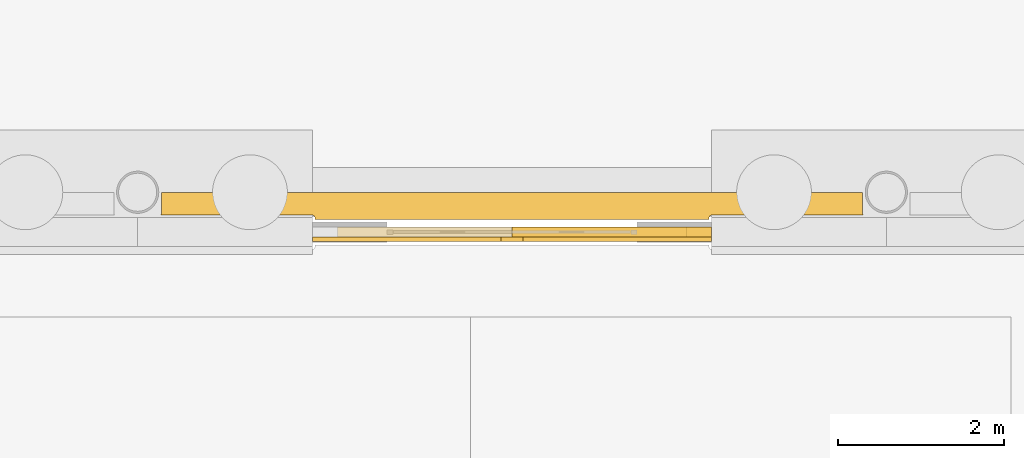
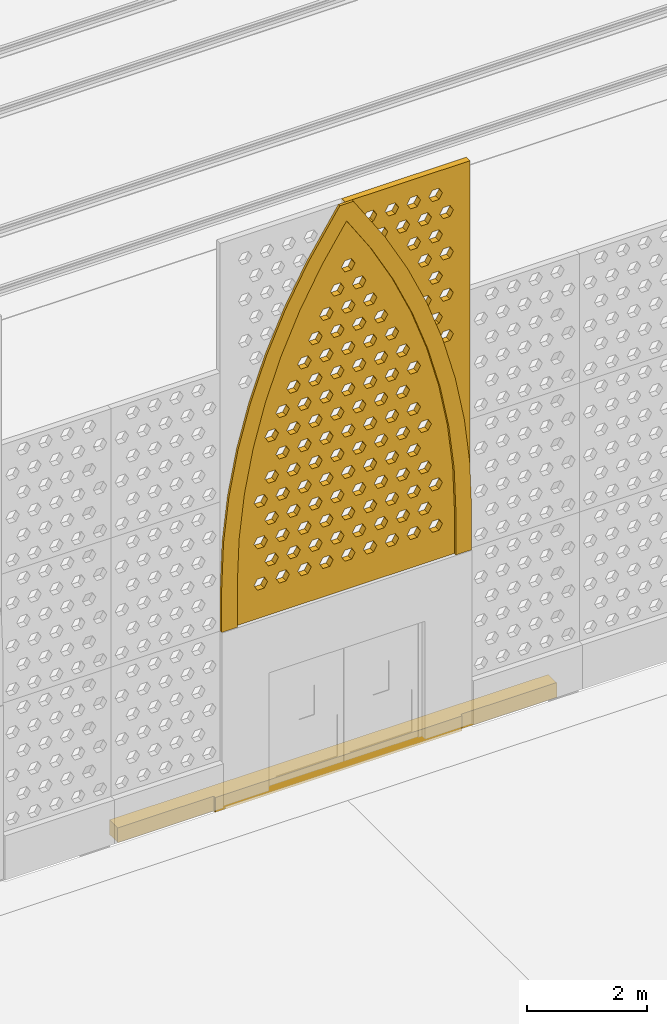
# One storey, part 189 of 250: 2 coverings, 2 shading devices.
"""IFC4 building model written with IfcOpenShell, lengths in metres."""

from ifc_helpers import new_model, si_unit, direction, frame, origin, place, context, subcontext, project, spatial, polyline, outline, extrude, material, layer, layer_set, type_object, element, save


model = new_model("IFC4")

# Units and contexts
model_context = context("Model", 3, precision=1e-05, world=origin(), true_north=direction((0.0, 1.0)))
body_context = subcontext(model_context, "Body", "Model", "MODEL_VIEW")
ifc_project = project(units=[si_unit("LENGTHUNIT", "METRE"), si_unit("AREAUNIT", "SQUARE_METRE"), si_unit("VOLUMEUNIT", "CUBIC_METRE"), si_unit("PLANEANGLEUNIT", "RADIAN"), si_unit("MASSUNIT", "GRAM", prefix="KILO")], contexts=[model_context])

# Site, building, storey
site_placement = place(None, origin())
site = spatial("IfcSite", under=ifc_project, at=site_placement, CompositionType="ELEMENT")
building_placement = place(site_placement, origin())
building = spatial("IfcBuilding", under=site, at=building_placement, Name="Baradari Gate Terminus", CompositionType="ELEMENT")
storey_placement = place(building_placement, origin())
storey = spatial("IfcBuildingStorey", under=building, at=storey_placement, Name="L00", CompositionType="ELEMENT", Elevation=0.0)

# Covering
ifc_material_1 = material(Name="Laterite masonry", Category="masonry")
ifc_layer_1 = layer(ifc_material_1, 0.050048828125)
ifc_layer_set_1 = layer_set([ifc_layer_1], Name="Laterite masonry")
covering_type_1 = type_object("IfcCoveringType", Name="Arch ring RG-1 50", PredefinedType="CLADDING", material=ifc_layer_set_1)
covering_1_placement = place(storey_placement, frame((164.10009765625, 35.43505859375, 3.52490234375), z_axis=(0.0, 0.0, 1.0), x_axis=(1.0, 0.0, 0.0)))
element("IfcCovering", 1, at=covering_1_placement, inside=storey, type_object=covering_type_1, Name="Arch ring RG-1 SC01b", PredefinedType="CLADDING", context=body_context, shape_type="SweptSolid", body=[
    extrude(outline(polyline([(0.034423828125, 1.8046875), (0.0, 0.90576171875), (0.0, 0.0), (0.300048828125, 0.0), (0.300048828125, 0.900146484375), (0.333740234375, 1.78173828125), (0.435302734375, 2.658203125), (0.603515625, 3.5244140625), (0.837646484375, 4.375), (1.13623046875, 5.205322265625), (1.49755859375, 6.01025390625), (1.919677734375, 6.784912109375), (2.39990234375, 7.525146484375), (2.880126953125, 6.784912109375), (3.30224609375, 6.01025390625), (3.663818359375, 5.205322265625), (3.96240234375, 4.375), (4.196533203125, 3.5244140625), (4.36474609375, 2.658203125), (4.466064453125, 1.78173828125), (4.5, 0.900146484375), (4.5, 0.0), (4.800048828125, 0.0), (4.800048828125, 0.90576171875), (4.765380859375, 1.8046875), (4.66162109375, 2.7041015625), (4.48876953125, 3.5927734375), (4.24853515625, 4.4658203125), (3.942138671875, 5.317626953125), (3.5712890625, 6.1435546875), (3.13818359375, 6.9384765625), (2.530517578125, 7.875), (2.26953125, 7.875), (1.661865234375, 6.9384765625), (1.228759765625, 6.1435546875), (0.85791015625, 5.317626953125), (0.55126953125, 4.4658203125), (0.31103515625, 3.5927734375), (0.138427734375, 2.7041015625), (0.034423828125, 1.8046875)])), frame((0.0, 0.02490234375, 0.0), z_axis=(0.0, -1.0, 0.0), x_axis=(1.0, 0.0, 0.0)), (0.0, 0.0, 1.0), 0.050048828125),
])

# Shading devices
ifc_material_2 = material(Name="Concrete C50/60 precast", Category="concrete")
ifc_layer_2 = layer(ifc_material_2, 0.1201171875)
ifc_layer_set_2 = layer_set([ifc_layer_2], Name="Concrete C50/60 precast")
shading_device_type = type_object("IfcShadingDeviceType", Name="Jali screen panel JS-2 120", PredefinedType="SHUTTER", material=ifc_layer_set_2)
shading_device_1_placement = place(storey_placement, frame((164.39990234375, 35.52001953125, 3.52490234375), z_axis=(0.0, 0.0, 1.0), x_axis=(1.0, 0.0, 0.0)))
element("IfcShadingDevice", 2, at=shading_device_1_placement, inside=storey, type_object=shading_device_type, Name="Jali screen panel JS-2 SC01b arch A", PredefinedType="SHUTTER", context=body_context, shape_type="SweptSolid", body=[
    extrude(outline(polyline([(0.0, 0.900146484375), (0.0, 0.0), (4.199951171875, 0.0), (4.199951171875, 0.900146484375), (4.166259765625, 1.78173828125), (4.064697265625, 2.658203125), (3.896484375, 3.5244140625), (3.662353515625, 4.375), (3.36376953125, 5.205322265625), (3.00244140625, 6.01025390625), (2.580322265625, 6.784912109375), (2.10009765625, 7.525146484375), (1.619873046875, 6.784912109375), (1.19775390625, 6.01025390625), (0.836181640625, 5.205322265625), (0.53759765625, 4.375), (0.303466796875, 3.5244140625), (0.13525390625, 2.658203125), (0.033935546875, 1.78173828125), (0.0, 0.900146484375)]), holes=[polyline([(0.610107421875, 0.690185546875), (0.544921875, 0.57763671875), (0.4150390625, 0.57763671875), (0.35009765625, 0.690185546875), (0.4150390625, 0.802734375), (0.544921875, 0.802734375), (0.610107421875, 0.690185546875)]), polyline([(1.030029296875, 0.690185546875), (0.965087890625, 0.57763671875), (0.8349609375, 0.57763671875), (0.77001953125, 0.690185546875), (0.8349609375, 0.802734375), (0.965087890625, 0.802734375), (1.030029296875, 0.690185546875)]), polyline([(1.449951171875, 0.690185546875), (1.385009765625, 0.57763671875), (1.2548828125, 0.57763671875), (1.18994140625, 0.690185546875), (1.2548828125, 0.802734375), (1.385009765625, 0.802734375), (1.449951171875, 0.690185546875)]), polyline([(1.8701171875, 0.690185546875), (1.804931640625, 0.57763671875), (1.675048828125, 0.57763671875), (1.610107421875, 0.690185546875), (1.675048828125, 0.802734375), (1.804931640625, 0.802734375), (1.8701171875, 0.690185546875)]), polyline([(2.2900390625, 0.690185546875), (2.22509765625, 0.57763671875), (2.094970703125, 0.57763671875), (2.030029296875, 0.690185546875), (2.094970703125, 0.802734375), (2.22509765625, 0.802734375), (2.2900390625, 0.690185546875)]), polyline([(2.7099609375, 0.690185546875), (2.64501953125, 0.57763671875), (2.514892578125, 0.57763671875), (2.449951171875, 0.690185546875), (2.514892578125, 0.802734375), (2.64501953125, 0.802734375), (2.7099609375, 0.690185546875)]), polyline([(3.1298828125, 0.690185546875), (3.06494140625, 0.57763671875), (2.93505859375, 0.57763671875), (2.8701171875, 0.690185546875), (2.93505859375, 0.802734375), (3.06494140625, 0.802734375), (3.1298828125, 0.690185546875)]), polyline([(3.550048828125, 0.690185546875), (3.485107421875, 0.57763671875), (3.35498046875, 0.57763671875), (3.2900390625, 0.690185546875), (3.35498046875, 0.802734375), (3.485107421875, 0.802734375), (3.550048828125, 0.690185546875)]), polyline([(3.969970703125, 0.690185546875), (3.905029296875, 0.57763671875), (3.77490234375, 0.57763671875), (3.7099609375, 0.690185546875), (3.77490234375, 0.802734375), (3.905029296875, 0.802734375), (3.969970703125, 0.690185546875)]), polyline([(0.820068359375, 1.110107421875), (0.7548828125, 0.99755859375), (0.625, 0.99755859375), (0.56005859375, 1.110107421875), (0.625, 1.22265625), (0.7548828125, 1.22265625), (0.820068359375, 1.110107421875)]), polyline([(1.239990234375, 1.110107421875), (1.175048828125, 0.99755859375), (1.044921875, 0.99755859375), (0.97998046875, 1.110107421875), (1.044921875, 1.22265625), (1.175048828125, 1.22265625), (1.239990234375, 1.110107421875)]), polyline([(1.659912109375, 1.110107421875), (1.594970703125, 0.99755859375), (1.465087890625, 0.99755859375), (1.39990234375, 1.110107421875), (1.465087890625, 1.22265625), (1.594970703125, 1.22265625), (1.659912109375, 1.110107421875)]), polyline([(2.080078125, 1.110107421875), (2.014892578125, 0.99755859375), (1.885009765625, 0.99755859375), (1.820068359375, 1.110107421875), (1.885009765625, 1.22265625), (2.014892578125, 1.22265625), (2.080078125, 1.110107421875)]), polyline([(2.5, 1.110107421875), (2.43505859375, 0.99755859375), (2.304931640625, 0.99755859375), (2.239990234375, 1.110107421875), (2.304931640625, 1.22265625), (2.43505859375, 1.22265625), (2.5, 1.110107421875)]), polyline([(2.919921875, 1.110107421875), (2.85498046875, 0.99755859375), (2.72509765625, 0.99755859375), (2.659912109375, 1.110107421875), (2.72509765625, 1.22265625), (2.85498046875, 1.22265625), (2.919921875, 1.110107421875)]), polyline([(3.340087890625, 1.110107421875), (3.27490234375, 0.99755859375), (3.14501953125, 0.99755859375), (3.080078125, 1.110107421875), (3.14501953125, 1.22265625), (3.27490234375, 1.22265625), (3.340087890625, 1.110107421875)]), polyline([(3.760009765625, 1.110107421875), (3.695068359375, 0.99755859375), (3.56494140625, 0.99755859375), (3.5, 1.110107421875), (3.56494140625, 1.22265625), (3.695068359375, 1.22265625), (3.760009765625, 1.110107421875)]), polyline([(0.610107421875, 1.530029296875), (0.544921875, 1.41748046875), (0.4150390625, 1.41748046875), (0.35009765625, 1.530029296875), (0.4150390625, 1.642578125), (0.544921875, 1.642578125), (0.610107421875, 1.530029296875)]), polyline([(1.030029296875, 1.530029296875), (0.965087890625, 1.41748046875), (0.8349609375, 1.41748046875), (0.77001953125, 1.530029296875), (0.8349609375, 1.642578125), (0.965087890625, 1.642578125), (1.030029296875, 1.530029296875)]), polyline([(1.449951171875, 1.530029296875), (1.385009765625, 1.41748046875), (1.2548828125, 1.41748046875), (1.18994140625, 1.530029296875), (1.2548828125, 1.642578125), (1.385009765625, 1.642578125), (1.449951171875, 1.530029296875)]), polyline([(1.8701171875, 1.530029296875), (1.804931640625, 1.41748046875), (1.675048828125, 1.41748046875), (1.610107421875, 1.530029296875), (1.675048828125, 1.642578125), (1.804931640625, 1.642578125), (1.8701171875, 1.530029296875)]), polyline([(2.2900390625, 1.530029296875), (2.22509765625, 1.41748046875), (2.094970703125, 1.41748046875), (2.030029296875, 1.530029296875), (2.094970703125, 1.642578125), (2.22509765625, 1.642578125), (2.2900390625, 1.530029296875)]), polyline([(2.7099609375, 1.530029296875), (2.64501953125, 1.41748046875), (2.514892578125, 1.41748046875), (2.449951171875, 1.530029296875), (2.514892578125, 1.642578125), (2.64501953125, 1.642578125), (2.7099609375, 1.530029296875)]), polyline([(3.1298828125, 1.530029296875), (3.06494140625, 1.41748046875), (2.93505859375, 1.41748046875), (2.8701171875, 1.530029296875), (2.93505859375, 1.642578125), (3.06494140625, 1.642578125), (3.1298828125, 1.530029296875)]), polyline([(3.550048828125, 1.530029296875), (3.485107421875, 1.41748046875), (3.35498046875, 1.41748046875), (3.2900390625, 1.530029296875), (3.35498046875, 1.642578125), (3.485107421875, 1.642578125), (3.550048828125, 1.530029296875)]), polyline([(3.969970703125, 1.530029296875), (3.905029296875, 1.41748046875), (3.77490234375, 1.41748046875), (3.7099609375, 1.530029296875), (3.77490234375, 1.642578125), (3.905029296875, 1.642578125), (3.969970703125, 1.530029296875)]), polyline([(0.820068359375, 1.9501953125), (0.7548828125, 1.83740234375), (0.625, 1.83740234375), (0.56005859375, 1.9501953125), (0.625, 2.062744140625), (0.7548828125, 2.062744140625), (0.820068359375, 1.9501953125)]), polyline([(1.239990234375, 1.9501953125), (1.175048828125, 1.83740234375), (1.044921875, 1.83740234375), (0.97998046875, 1.9501953125), (1.044921875, 2.062744140625), (1.175048828125, 2.062744140625), (1.239990234375, 1.9501953125)]), polyline([(1.659912109375, 1.9501953125), (1.594970703125, 1.83740234375), (1.465087890625, 1.83740234375), (1.39990234375, 1.9501953125), (1.465087890625, 2.062744140625), (1.594970703125, 2.062744140625), (1.659912109375, 1.9501953125)]), polyline([(2.080078125, 1.9501953125), (2.014892578125, 1.83740234375), (1.885009765625, 1.83740234375), (1.820068359375, 1.9501953125), (1.885009765625, 2.062744140625), (2.014892578125, 2.062744140625), (2.080078125, 1.9501953125)]), polyline([(2.5, 1.9501953125), (2.43505859375, 1.83740234375), (2.304931640625, 1.83740234375), (2.239990234375, 1.9501953125), (2.304931640625, 2.062744140625), (2.43505859375, 2.062744140625), (2.5, 1.9501953125)]), polyline([(2.919921875, 1.9501953125), (2.85498046875, 1.83740234375), (2.72509765625, 1.83740234375), (2.659912109375, 1.9501953125), (2.72509765625, 2.062744140625), (2.85498046875, 2.062744140625), (2.919921875, 1.9501953125)]), polyline([(3.340087890625, 1.9501953125), (3.27490234375, 1.83740234375), (3.14501953125, 1.83740234375), (3.080078125, 1.9501953125), (3.14501953125, 2.062744140625), (3.27490234375, 2.062744140625), (3.340087890625, 1.9501953125)]), polyline([(3.760009765625, 1.9501953125), (3.695068359375, 1.83740234375), (3.56494140625, 1.83740234375), (3.5, 1.9501953125), (3.56494140625, 2.062744140625), (3.695068359375, 2.062744140625), (3.760009765625, 1.9501953125)]), polyline([(0.610107421875, 2.3701171875), (0.544921875, 2.257568359375), (0.4150390625, 2.257568359375), (0.35009765625, 2.3701171875), (0.4150390625, 2.482666015625), (0.544921875, 2.482666015625), (0.610107421875, 2.3701171875)]), polyline([(1.030029296875, 2.3701171875), (0.965087890625, 2.257568359375), (0.8349609375, 2.257568359375), (0.77001953125, 2.3701171875), (0.8349609375, 2.482666015625), (0.965087890625, 2.482666015625), (1.030029296875, 2.3701171875)]), polyline([(1.449951171875, 2.3701171875), (1.385009765625, 2.257568359375), (1.2548828125, 2.257568359375), (1.18994140625, 2.3701171875), (1.2548828125, 2.482666015625), (1.385009765625, 2.482666015625), (1.449951171875, 2.3701171875)]), polyline([(1.8701171875, 2.3701171875), (1.804931640625, 2.257568359375), (1.675048828125, 2.257568359375), (1.610107421875, 2.3701171875), (1.675048828125, 2.482666015625), (1.804931640625, 2.482666015625), (1.8701171875, 2.3701171875)]), polyline([(2.2900390625, 2.3701171875), (2.22509765625, 2.257568359375), (2.094970703125, 2.257568359375), (2.030029296875, 2.3701171875), (2.094970703125, 2.482666015625), (2.22509765625, 2.482666015625), (2.2900390625, 2.3701171875)]), polyline([(2.7099609375, 2.3701171875), (2.64501953125, 2.257568359375), (2.514892578125, 2.257568359375), (2.449951171875, 2.3701171875), (2.514892578125, 2.482666015625), (2.64501953125, 2.482666015625), (2.7099609375, 2.3701171875)]), polyline([(3.1298828125, 2.3701171875), (3.06494140625, 2.257568359375), (2.93505859375, 2.257568359375), (2.8701171875, 2.3701171875), (2.93505859375, 2.482666015625), (3.06494140625, 2.482666015625), (3.1298828125, 2.3701171875)]), polyline([(3.550048828125, 2.3701171875), (3.485107421875, 2.257568359375), (3.35498046875, 2.257568359375), (3.2900390625, 2.3701171875), (3.35498046875, 2.482666015625), (3.485107421875, 2.482666015625), (3.550048828125, 2.3701171875)]), polyline([(0.820068359375, 2.7900390625), (0.7548828125, 2.677490234375), (0.625, 2.677490234375), (0.56005859375, 2.7900390625), (0.625, 2.902587890625), (0.7548828125, 2.902587890625), (0.820068359375, 2.7900390625)]), polyline([(1.239990234375, 2.7900390625), (1.175048828125, 2.677490234375), (1.044921875, 2.677490234375), (0.97998046875, 2.7900390625), (1.044921875, 2.902587890625), (1.175048828125, 2.902587890625), (1.239990234375, 2.7900390625)]), polyline([(1.659912109375, 2.7900390625), (1.594970703125, 2.677490234375), (1.465087890625, 2.677490234375), (1.39990234375, 2.7900390625), (1.465087890625, 2.902587890625), (1.594970703125, 2.902587890625), (1.659912109375, 2.7900390625)]), polyline([(2.080078125, 2.7900390625), (2.014892578125, 2.677490234375), (1.885009765625, 2.677490234375), (1.820068359375, 2.7900390625), (1.885009765625, 2.902587890625), (2.014892578125, 2.902587890625), (2.080078125, 2.7900390625)]), polyline([(2.5, 2.7900390625), (2.43505859375, 2.677490234375), (2.304931640625, 2.677490234375), (2.239990234375, 2.7900390625), (2.304931640625, 2.902587890625), (2.43505859375, 2.902587890625), (2.5, 2.7900390625)]), polyline([(2.919921875, 2.7900390625), (2.85498046875, 2.677490234375), (2.72509765625, 2.677490234375), (2.659912109375, 2.7900390625), (2.72509765625, 2.902587890625), (2.85498046875, 2.902587890625), (2.919921875, 2.7900390625)]), polyline([(3.340087890625, 2.7900390625), (3.27490234375, 2.677490234375), (3.14501953125, 2.677490234375), (3.080078125, 2.7900390625), (3.14501953125, 2.902587890625), (3.27490234375, 2.902587890625), (3.340087890625, 2.7900390625)]), polyline([(3.760009765625, 2.7900390625), (3.695068359375, 2.677490234375), (3.56494140625, 2.677490234375), (3.5, 2.7900390625), (3.56494140625, 2.902587890625), (3.695068359375, 2.902587890625), (3.760009765625, 2.7900390625)]), polyline([(1.030029296875, 3.210205078125), (0.965087890625, 3.097412109375), (0.8349609375, 3.097412109375), (0.77001953125, 3.210205078125), (0.8349609375, 3.32275390625), (0.965087890625, 3.32275390625), (1.030029296875, 3.210205078125)]), polyline([(1.449951171875, 3.210205078125), (1.385009765625, 3.097412109375), (1.2548828125, 3.097412109375), (1.18994140625, 3.210205078125), (1.2548828125, 3.32275390625), (1.385009765625, 3.32275390625), (1.449951171875, 3.210205078125)]), polyline([(1.8701171875, 3.210205078125), (1.804931640625, 3.097412109375), (1.675048828125, 3.097412109375), (1.610107421875, 3.210205078125), (1.675048828125, 3.32275390625), (1.804931640625, 3.32275390625), (1.8701171875, 3.210205078125)]), polyline([(2.2900390625, 3.210205078125), (2.22509765625, 3.097412109375), (2.094970703125, 3.097412109375), (2.030029296875, 3.210205078125), (2.094970703125, 3.32275390625), (2.22509765625, 3.32275390625), (2.2900390625, 3.210205078125)]), polyline([(2.7099609375, 3.210205078125), (2.64501953125, 3.097412109375), (2.514892578125, 3.097412109375), (2.449951171875, 3.210205078125), (2.514892578125, 3.32275390625), (2.64501953125, 3.32275390625), (2.7099609375, 3.210205078125)]), polyline([(3.1298828125, 3.210205078125), (3.06494140625, 3.097412109375), (2.93505859375, 3.097412109375), (2.8701171875, 3.210205078125), (2.93505859375, 3.32275390625), (3.06494140625, 3.32275390625), (3.1298828125, 3.210205078125)]), polyline([(3.550048828125, 3.210205078125), (3.485107421875, 3.097412109375), (3.35498046875, 3.097412109375), (3.2900390625, 3.210205078125), (3.35498046875, 3.32275390625), (3.485107421875, 3.32275390625), (3.550048828125, 3.210205078125)]), polyline([(0.820068359375, 3.630126953125), (0.7548828125, 3.517578125), (0.625, 3.517578125), (0.56005859375, 3.630126953125), (0.625, 3.74267578125), (0.7548828125, 3.74267578125), (0.820068359375, 3.630126953125)]), polyline([(1.239990234375, 3.630126953125), (1.175048828125, 3.517578125), (1.044921875, 3.517578125), (0.97998046875, 3.630126953125), (1.044921875, 3.74267578125), (1.175048828125, 3.74267578125), (1.239990234375, 3.630126953125)]), polyline([(1.659912109375, 3.630126953125), (1.594970703125, 3.517578125), (1.465087890625, 3.517578125), (1.39990234375, 3.630126953125), (1.465087890625, 3.74267578125), (1.594970703125, 3.74267578125), (1.659912109375, 3.630126953125)]), polyline([(2.080078125, 3.630126953125), (2.014892578125, 3.517578125), (1.885009765625, 3.517578125), (1.820068359375, 3.630126953125), (1.885009765625, 3.74267578125), (2.014892578125, 3.74267578125), (2.080078125, 3.630126953125)]), polyline([(2.5, 3.630126953125), (2.43505859375, 3.517578125), (2.304931640625, 3.517578125), (2.239990234375, 3.630126953125), (2.304931640625, 3.74267578125), (2.43505859375, 3.74267578125), (2.5, 3.630126953125)]), polyline([(2.919921875, 3.630126953125), (2.85498046875, 3.517578125), (2.72509765625, 3.517578125), (2.659912109375, 3.630126953125), (2.72509765625, 3.74267578125), (2.85498046875, 3.74267578125), (2.919921875, 3.630126953125)]), polyline([(3.340087890625, 3.630126953125), (3.27490234375, 3.517578125), (3.14501953125, 3.517578125), (3.080078125, 3.630126953125), (3.14501953125, 3.74267578125), (3.27490234375, 3.74267578125), (3.340087890625, 3.630126953125)]), polyline([(1.030029296875, 4.050048828125), (0.965087890625, 3.9375), (0.8349609375, 3.9375), (0.77001953125, 4.050048828125), (0.8349609375, 4.16259765625), (0.965087890625, 4.16259765625), (1.030029296875, 4.050048828125)]), polyline([(1.449951171875, 4.050048828125), (1.385009765625, 3.9375), (1.2548828125, 3.9375), (1.18994140625, 4.050048828125), (1.2548828125, 4.16259765625), (1.385009765625, 4.16259765625), (1.449951171875, 4.050048828125)]), polyline([(1.8701171875, 4.050048828125), (1.804931640625, 3.9375), (1.675048828125, 3.9375), (1.610107421875, 4.050048828125), (1.675048828125, 4.16259765625), (1.804931640625, 4.16259765625), (1.8701171875, 4.050048828125)]), polyline([(2.2900390625, 4.050048828125), (2.22509765625, 3.9375), (2.094970703125, 3.9375), (2.030029296875, 4.050048828125), (2.094970703125, 4.16259765625), (2.22509765625, 4.16259765625), (2.2900390625, 4.050048828125)]), polyline([(2.7099609375, 4.050048828125), (2.64501953125, 3.9375), (2.514892578125, 3.9375), (2.449951171875, 4.050048828125), (2.514892578125, 4.16259765625), (2.64501953125, 4.16259765625), (2.7099609375, 4.050048828125)]), polyline([(3.1298828125, 4.050048828125), (3.06494140625, 3.9375), (2.93505859375, 3.9375), (2.8701171875, 4.050048828125), (2.93505859375, 4.16259765625), (3.06494140625, 4.16259765625), (3.1298828125, 4.050048828125)]), polyline([(3.550048828125, 4.050048828125), (3.485107421875, 3.9375), (3.35498046875, 3.9375), (3.2900390625, 4.050048828125), (3.35498046875, 4.16259765625), (3.485107421875, 4.16259765625), (3.550048828125, 4.050048828125)]), polyline([(1.239990234375, 4.47021484375), (1.175048828125, 4.357421875), (1.044921875, 4.357421875), (0.97998046875, 4.47021484375), (1.044921875, 4.582763671875), (1.175048828125, 4.582763671875), (1.239990234375, 4.47021484375)]), polyline([(1.659912109375, 4.47021484375), (1.594970703125, 4.357421875), (1.465087890625, 4.357421875), (1.39990234375, 4.47021484375), (1.465087890625, 4.582763671875), (1.594970703125, 4.582763671875), (1.659912109375, 4.47021484375)]), polyline([(2.080078125, 4.47021484375), (2.014892578125, 4.357421875), (1.885009765625, 4.357421875), (1.820068359375, 4.47021484375), (1.885009765625, 4.582763671875), (2.014892578125, 4.582763671875), (2.080078125, 4.47021484375)]), polyline([(2.5, 4.47021484375), (2.43505859375, 4.357421875), (2.304931640625, 4.357421875), (2.239990234375, 4.47021484375), (2.304931640625, 4.582763671875), (2.43505859375, 4.582763671875), (2.5, 4.47021484375)]), polyline([(2.919921875, 4.47021484375), (2.85498046875, 4.357421875), (2.72509765625, 4.357421875), (2.659912109375, 4.47021484375), (2.72509765625, 4.582763671875), (2.85498046875, 4.582763671875), (2.919921875, 4.47021484375)]), polyline([(3.340087890625, 4.47021484375), (3.27490234375, 4.357421875), (3.14501953125, 4.357421875), (3.080078125, 4.47021484375), (3.14501953125, 4.582763671875), (3.27490234375, 4.582763671875), (3.340087890625, 4.47021484375)]), polyline([(1.449951171875, 4.89013671875), (1.385009765625, 4.777587890625), (1.2548828125, 4.777587890625), (1.18994140625, 4.89013671875), (1.2548828125, 5.002685546875), (1.385009765625, 5.002685546875), (1.449951171875, 4.89013671875)]), polyline([(1.8701171875, 4.89013671875), (1.804931640625, 4.777587890625), (1.675048828125, 4.777587890625), (1.610107421875, 4.89013671875), (1.675048828125, 5.002685546875), (1.804931640625, 5.002685546875), (1.8701171875, 4.89013671875)]), polyline([(2.2900390625, 4.89013671875), (2.22509765625, 4.777587890625), (2.094970703125, 4.777587890625), (2.030029296875, 4.89013671875), (2.094970703125, 5.002685546875), (2.22509765625, 5.002685546875), (2.2900390625, 4.89013671875)]), polyline([(2.7099609375, 4.89013671875), (2.64501953125, 4.777587890625), (2.514892578125, 4.777587890625), (2.449951171875, 4.89013671875), (2.514892578125, 5.002685546875), (2.64501953125, 5.002685546875), (2.7099609375, 4.89013671875)]), polyline([(3.1298828125, 4.89013671875), (3.06494140625, 4.777587890625), (2.93505859375, 4.777587890625), (2.8701171875, 4.89013671875), (2.93505859375, 5.002685546875), (3.06494140625, 5.002685546875), (3.1298828125, 4.89013671875)]), polyline([(1.659912109375, 5.31005859375), (1.594970703125, 5.197509765625), (1.465087890625, 5.197509765625), (1.39990234375, 5.31005859375), (1.465087890625, 5.422607421875), (1.594970703125, 5.422607421875), (1.659912109375, 5.31005859375)]), polyline([(2.080078125, 5.31005859375), (2.014892578125, 5.197509765625), (1.885009765625, 5.197509765625), (1.820068359375, 5.31005859375), (1.885009765625, 5.422607421875), (2.014892578125, 5.422607421875), (2.080078125, 5.31005859375)]), polyline([(2.5, 5.31005859375), (2.43505859375, 5.197509765625), (2.304931640625, 5.197509765625), (2.239990234375, 5.31005859375), (2.304931640625, 5.422607421875), (2.43505859375, 5.422607421875), (2.5, 5.31005859375)]), polyline([(2.919921875, 5.31005859375), (2.85498046875, 5.197509765625), (2.72509765625, 5.197509765625), (2.659912109375, 5.31005859375), (2.72509765625, 5.422607421875), (2.85498046875, 5.422607421875), (2.919921875, 5.31005859375)]), polyline([(1.8701171875, 5.72998046875), (1.804931640625, 5.617431640625), (1.675048828125, 5.617431640625), (1.610107421875, 5.72998046875), (1.675048828125, 5.8427734375), (1.804931640625, 5.8427734375), (1.8701171875, 5.72998046875)]), polyline([(2.2900390625, 5.72998046875), (2.22509765625, 5.617431640625), (2.094970703125, 5.617431640625), (2.030029296875, 5.72998046875), (2.094970703125, 5.8427734375), (2.22509765625, 5.8427734375), (2.2900390625, 5.72998046875)]), polyline([(2.7099609375, 5.72998046875), (2.64501953125, 5.617431640625), (2.514892578125, 5.617431640625), (2.449951171875, 5.72998046875), (2.514892578125, 5.8427734375), (2.64501953125, 5.8427734375), (2.7099609375, 5.72998046875)]), polyline([(2.080078125, 6.150146484375), (2.014892578125, 6.03759765625), (1.885009765625, 6.03759765625), (1.820068359375, 6.150146484375), (1.885009765625, 6.2626953125), (2.014892578125, 6.2626953125), (2.080078125, 6.150146484375)]), polyline([(2.5, 6.150146484375), (2.43505859375, 6.03759765625), (2.304931640625, 6.03759765625), (2.239990234375, 6.150146484375), (2.304931640625, 6.2626953125), (2.43505859375, 6.2626953125), (2.5, 6.150146484375)]), polyline([(2.2900390625, 6.570068359375), (2.22509765625, 6.45751953125), (2.094970703125, 6.45751953125), (2.030029296875, 6.570068359375), (2.094970703125, 6.6826171875), (2.22509765625, 6.6826171875), (2.2900390625, 6.570068359375)])]), frame((0.0, 0.06005859375, 0.0), z_axis=(0.0, -1.0, 0.0), x_axis=(1.0, 0.0, 0.0)), (0.0, 0.0, 1.0), 0.1201171875),
])
shading_device_2_placement = place(storey_placement, frame((166.5, 35.52001953125, 3.52490234375), z_axis=(0.0, 0.0, 1.0), x_axis=(1.0, 0.0, 0.0)))
element("IfcShadingDevice", 3, at=shading_device_2_placement, inside=storey, type_object=shading_device_type, Name="Jali screen panel JS-2 SC01b arch R1", PredefinedType="SHUTTER", context=body_context, shape_type="SweptSolid", body=[
    extrude(outline(polyline([(0.0, 7.875), (0.0, 7.525146484375), (0.480224609375, 6.784912109375), (0.90234375, 6.01025390625), (1.263671875, 5.205322265625), (1.5625, 4.375), (1.796630859375, 3.5244140625), (1.96484375, 2.658203125), (2.066162109375, 1.78173828125), (2.10009765625, 0.900146484375), (2.10009765625, 0.0), (2.39990234375, 0.0), (2.39990234375, 7.875), (0.0, 7.875)]), holes=[polyline([(2.080078125, 4.47021484375), (2.014892578125, 4.357421875), (1.885009765625, 4.357421875), (1.820068359375, 4.47021484375), (1.885009765625, 4.582763671875), (2.014892578125, 4.582763671875), (2.080078125, 4.47021484375)]), polyline([(1.8701171875, 4.89013671875), (1.804931640625, 4.777587890625), (1.675048828125, 4.777587890625), (1.610107421875, 4.89013671875), (1.675048828125, 5.002685546875), (1.804931640625, 5.002685546875), (1.8701171875, 4.89013671875)]), polyline([(1.659912109375, 5.31005859375), (1.594970703125, 5.197509765625), (1.465087890625, 5.197509765625), (1.39990234375, 5.31005859375), (1.465087890625, 5.422607421875), (1.594970703125, 5.422607421875), (1.659912109375, 5.31005859375)]), polyline([(2.080078125, 5.31005859375), (2.014892578125, 5.197509765625), (1.885009765625, 5.197509765625), (1.820068359375, 5.31005859375), (1.885009765625, 5.422607421875), (2.014892578125, 5.422607421875), (2.080078125, 5.31005859375)]), polyline([(1.8701171875, 5.72998046875), (1.804931640625, 5.617431640625), (1.675048828125, 5.617431640625), (1.610107421875, 5.72998046875), (1.675048828125, 5.8427734375), (1.804931640625, 5.8427734375), (1.8701171875, 5.72998046875)]), polyline([(1.659912109375, 6.150146484375), (1.594970703125, 6.03759765625), (1.465087890625, 6.03759765625), (1.39990234375, 6.150146484375), (1.465087890625, 6.2626953125), (1.594970703125, 6.2626953125), (1.659912109375, 6.150146484375)]), polyline([(2.080078125, 6.150146484375), (2.014892578125, 6.03759765625), (1.885009765625, 6.03759765625), (1.820068359375, 6.150146484375), (1.885009765625, 6.2626953125), (2.014892578125, 6.2626953125), (2.080078125, 6.150146484375)]), polyline([(1.449951171875, 6.570068359375), (1.385009765625, 6.45751953125), (1.2548828125, 6.45751953125), (1.18994140625, 6.570068359375), (1.2548828125, 6.6826171875), (1.385009765625, 6.6826171875), (1.449951171875, 6.570068359375)]), polyline([(1.8701171875, 6.570068359375), (1.804931640625, 6.45751953125), (1.675048828125, 6.45751953125), (1.610107421875, 6.570068359375), (1.675048828125, 6.6826171875), (1.804931640625, 6.6826171875), (1.8701171875, 6.570068359375)]), polyline([(0.820068359375, 6.989990234375), (0.7548828125, 6.87744140625), (0.625, 6.87744140625), (0.56005859375, 6.989990234375), (0.625, 7.102783203125), (0.7548828125, 7.102783203125), (0.820068359375, 6.989990234375)]), polyline([(1.239990234375, 6.989990234375), (1.175048828125, 6.87744140625), (1.044921875, 6.87744140625), (0.97998046875, 6.989990234375), (1.044921875, 7.102783203125), (1.175048828125, 7.102783203125), (1.239990234375, 6.989990234375)]), polyline([(1.659912109375, 6.989990234375), (1.594970703125, 6.87744140625), (1.465087890625, 6.87744140625), (1.39990234375, 6.989990234375), (1.465087890625, 7.102783203125), (1.594970703125, 7.102783203125), (1.659912109375, 6.989990234375)]), polyline([(2.080078125, 6.989990234375), (2.014892578125, 6.87744140625), (1.885009765625, 6.87744140625), (1.820068359375, 6.989990234375), (1.885009765625, 7.102783203125), (2.014892578125, 7.102783203125), (2.080078125, 6.989990234375)]), polyline([(0.610107421875, 7.41015625), (0.544921875, 7.297607421875), (0.4150390625, 7.297607421875), (0.35009765625, 7.41015625), (0.4150390625, 7.522705078125), (0.544921875, 7.522705078125), (0.610107421875, 7.41015625)]), polyline([(1.030029296875, 7.41015625), (0.965087890625, 7.297607421875), (0.8349609375, 7.297607421875), (0.77001953125, 7.41015625), (0.8349609375, 7.522705078125), (0.965087890625, 7.522705078125), (1.030029296875, 7.41015625)]), polyline([(1.449951171875, 7.41015625), (1.385009765625, 7.297607421875), (1.2548828125, 7.297607421875), (1.18994140625, 7.41015625), (1.2548828125, 7.522705078125), (1.385009765625, 7.522705078125), (1.449951171875, 7.41015625)]), polyline([(1.8701171875, 7.41015625), (1.804931640625, 7.297607421875), (1.675048828125, 7.297607421875), (1.610107421875, 7.41015625), (1.675048828125, 7.522705078125), (1.804931640625, 7.522705078125), (1.8701171875, 7.41015625)])]), frame((0.0, 0.06005859375, 0.0), z_axis=(0.0, -1.0, 0.0), x_axis=(1.0, 0.0, 0.0)), (0.0, 0.0, 1.0), 0.1201171875),
])

# Covering
ifc_material_3 = material(Name="Planted lawn")
ifc_layer_3 = layer(ifc_material_3, 0.300048828125)
ifc_layer_set_3 = layer_set([ifc_layer_3], Name="Planted lawn")
covering_type_2 = type_object("IfcCoveringType", Name="Planted lawn bed LW-1 300", PredefinedType="USERDEFINED", material=ifc_layer_set_3)
covering_2_placement = place(storey_placement, frame((0.0, 0.0, -0.300048828125)))
element("IfcCovering", 4, at=covering_2_placement, inside=storey, type_object=covering_type_2, Name="Planted lawn 4", ObjectType="LAWN", PredefinedType="USERDEFINED", context=body_context, shape_type="SweptSolid", body=[
    extrude(outline(polyline([(162.279052734375, 35.729248046875), (162.277099609375, 35.72705078125), (162.275390625, 35.72509765625), (164.10009765625, 35.72509765625), (164.10302734375, 35.724853515625), (164.10595703125, 35.724365234375), (164.108642578125, 35.7236328125), (164.111572265625, 35.72265625), (164.1142578125, 35.721435546875), (164.11669921875, 35.719970703125), (164.119140625, 35.71826171875), (164.12109375, 35.71630859375), (164.123291015625, 35.714111328125), (164.125, 35.711669921875), (164.12646484375, 35.709228515625), (164.127685546875, 35.70654296875), (164.128662109375, 35.70361328125), (164.12939453125, 35.700927734375), (164.1298828125, 35.697998046875), (164.1298828125, 35.695068359375), (164.1298828125, 35.675048828125), (168.8701171875, 35.675048828125), (168.8701171875, 35.695068359375), (168.8701171875, 35.697998046875), (168.87060546875, 35.700927734375), (168.871337890625, 35.70361328125), (168.872314453125, 35.70654296875), (168.87353515625, 35.709228515625), (168.875, 35.711669921875), (168.876708984375, 35.714111328125), (168.87890625, 35.71630859375), (168.880859375, 35.71826171875), (168.88330078125, 35.719970703125), (168.8857421875, 35.721435546875), (168.888427734375, 35.72265625), (168.891357421875, 35.7236328125), (168.89404296875, 35.724365234375), (168.89697265625, 35.724853515625), (168.89990234375, 35.72509765625), (170.724609375, 35.72509765625), (170.722900390625, 35.72705078125), (170.720947265625, 35.729248046875), (170.719482421875, 35.73193359375), (170.71826171875, 35.734619140625), (170.71728515625, 35.7373046875), (170.716552734375, 35.740234375), (170.716064453125, 35.7431640625), (170.716064453125, 35.74609375), (170.716064453125, 36.0), (162.283935546875, 36.0), (162.283935546875, 35.74609375), (162.283935546875, 35.7431640625), (162.283447265625, 35.740234375), (162.28271484375, 35.7373046875), (162.28173828125, 35.734619140625), (162.280517578125, 35.73193359375), (162.279052734375, 35.729248046875)])), origin(), (0.0, 0.0, 1.0), 0.300048828125),
])

save(model, "model.ifc")
